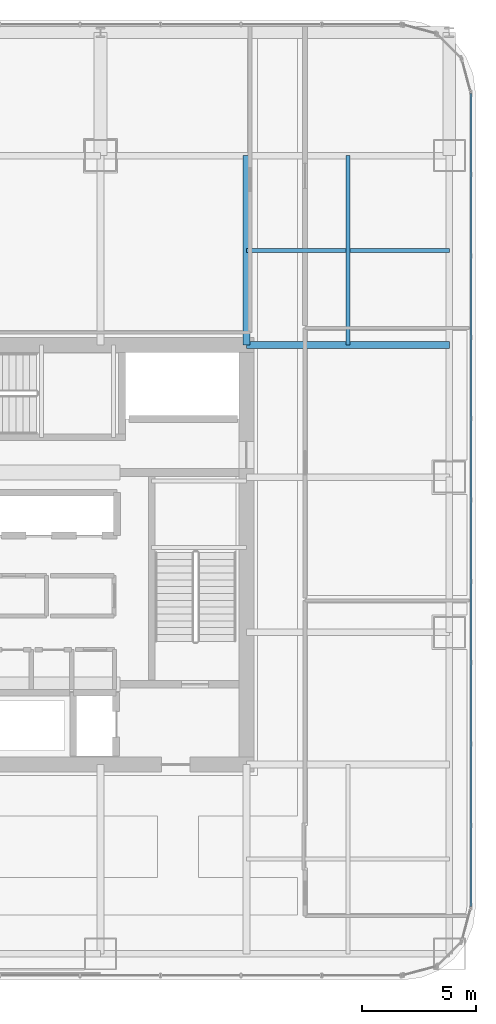
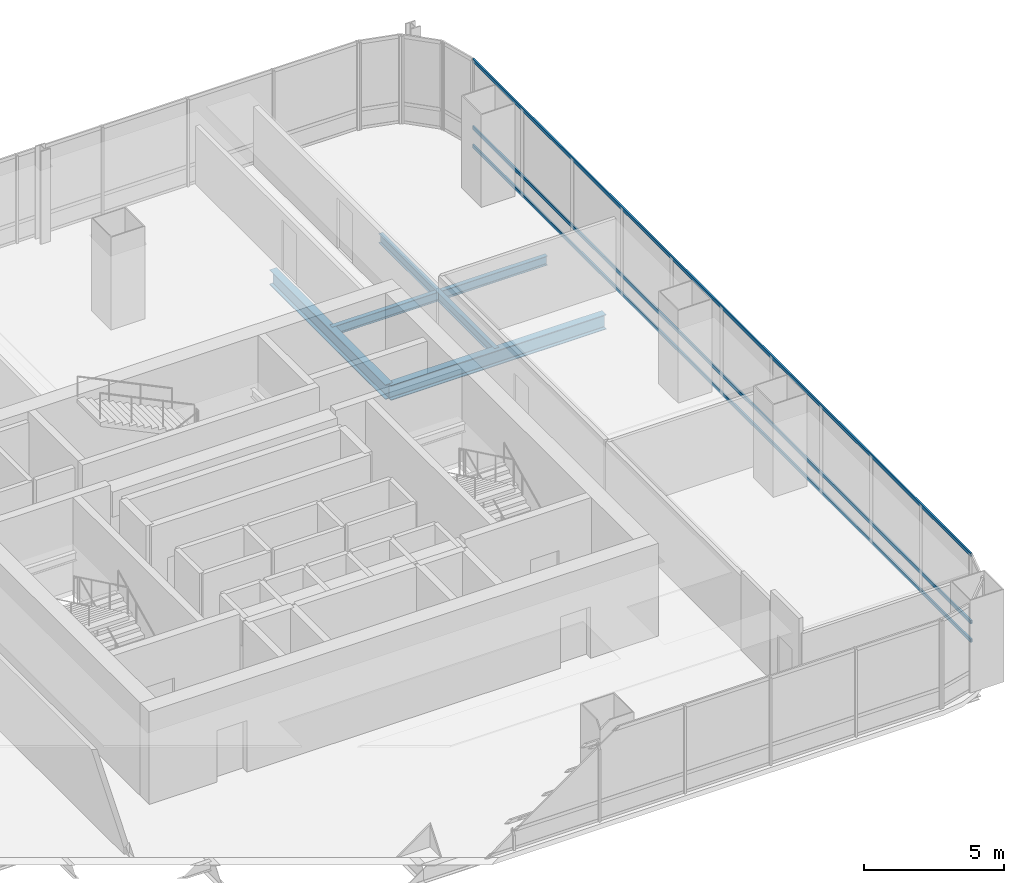
# One storey, part 17 of 38: 4 beams, 3 members, 1 element without a shape of its own.
"""IFC4 building model written with IfcOpenShell, lengths in metres."""

from ifc_helpers import new_model, si_unit, direction, frame, origin, origin_2d, place, context, subcontext, project, spatial, hollow_rectangle, i_section, extrude, material, material_profile, profile_set, type_object, element, aggregate, save


model = new_model("IFC4")

# Units and contexts
model_context = context("Model", 3, precision=1e-05, world=origin(), true_north=direction((0.0, 1.0)))
body_context = subcontext(model_context, "Body", "Model", "MODEL_VIEW")
ifc_project = project(units=[si_unit("LENGTHUNIT", "METRE"), si_unit("AREAUNIT", "SQUARE_METRE"), si_unit("VOLUMEUNIT", "CUBIC_METRE"), si_unit("PLANEANGLEUNIT", "RADIAN"), si_unit("MASSUNIT", "GRAM", prefix="KILO")], contexts=[model_context])

# Site, building, storey
site_placement = place(None, origin())
site = spatial("IfcSite", under=ifc_project, at=site_placement, CompositionType="ELEMENT")
building_placement = place(site_placement, origin())
building = spatial("IfcBuilding", under=site, at=building_placement, Name="Punatoya Terracotta Tower", CompositionType="ELEMENT")
storey_placement = place(building_placement, frame((0.0, 0.0, 147.89990234375)))
storey = spatial("IfcBuildingStorey", under=building, at=storey_placement, Name="L34", CompositionType="ELEMENT", Elevation=147.89990234375)

# Beams
ifc_material_1 = material(Name="Steel S355", Category="steel")
ifc_material_profile_1 = material_profile(ifc_material_1, i_section(OverallWidth=0.300048828125, OverallDepth=0.64990234375, WebThickness=0.01611328125, FlangeThickness=0.031005859375, FilletRadius=0.01806640625, at=origin_2d()))
ifc_profile_set_1 = profile_set([ifc_material_profile_1], Name="Steel S355")
beam_type_1 = type_object("IfcBeamType", Name="BM-PRI-650", PredefinedType="BEAM", material=ifc_profile_set_1)
beam_1_placement = place(storey_placement, frame((10.199951171875, 9.199951171875, -0.544921875), z_axis=(1.0, 0.0, 0.0), x_axis=(0.0, 1.0, 0.0)))
element("IfcBeam", 1, at=beam_1_placement, inside=storey, type_object=beam_type_1, Name="BM-L34-PR-EN", PredefinedType="BEAM", context=body_context, shape_type="SweptSolid", body=[
    extrude(i_section(OverallWidth=0.300048828125, OverallDepth=0.64990234375, WebThickness=0.01611328125, FlangeThickness=0.031005859375, FilletRadius=0.01806640625, at=origin_2d()), origin(), (0.0, 0.0, 1.0), 8.900146484375),
])
beam_2_placement = place(storey_placement, frame((10.199951171875, 9.199951171875, -0.544921875), z_axis=(0.0, 1.0, 0.0), x_axis=(-1.0, 0.0, 0.0)))
element("IfcBeam", 2, at=beam_2_placement, inside=storey, type_object=beam_type_1, Name="BM-L34-PR-N4", PredefinedType="BEAM", context=body_context, shape_type="SweptSolid", body=[
    extrude(i_section(OverallWidth=0.300048828125, OverallDepth=0.64990234375, WebThickness=0.01611328125, FlangeThickness=0.031005859375, FilletRadius=0.01806640625, at=origin_2d()), origin(), (0.0, 0.0, 1.0), 8.300048828125),
])
ifc_material_profile_2 = material_profile(ifc_material_1, i_section(OverallWidth=0.179931640625, OverallDepth=0.39990234375, WebThickness=0.008544921875, FlangeThickness=0.013427734375, FilletRadius=0.01806640625, at=origin_2d()))
ifc_profile_set_2 = profile_set([ifc_material_profile_2], Name="Steel S355")
beam_type_2 = type_object("IfcBeamType", Name="BM-SEC-400", PredefinedType="JOIST", material=ifc_profile_set_2)
beam_3_placement = place(storey_placement, frame((10.199951171875, 13.35009765625, -0.419921875), z_axis=(1.0, 0.0, 0.0), x_axis=(0.0, 1.0, 0.0)))
element("IfcBeam", 3, at=beam_3_placement, inside=storey, type_object=beam_type_2, Name="BM-L34-SJN-2", PredefinedType="JOIST", context=body_context, shape_type="SweptSolid", body=[
    extrude(i_section(OverallWidth=0.179931640625, OverallDepth=0.39990234375, WebThickness=0.008544921875, FlangeThickness=0.013427734375, FilletRadius=0.01806640625, at=origin_2d()), origin(), (0.0, 0.0, 1.0), 8.900146484375),
])
beam_4_placement = place(storey_placement, frame((14.64990234375, 9.199951171875, -0.419921875), z_axis=(0.0, 1.0, 0.0), x_axis=(-1.0, 0.0, 0.0)))
element("IfcBeam", 4, at=beam_4_placement, inside=storey, type_object=beam_type_2, Name="BM-L34-SJE-2", PredefinedType="JOIST", context=body_context, shape_type="SweptSolid", body=[
    extrude(i_section(OverallWidth=0.179931640625, OverallDepth=0.39990234375, WebThickness=0.008544921875, FlangeThickness=0.013427734375, FilletRadius=0.01806640625, at=origin_2d()), origin(), (0.0, 0.0, 1.0), 8.300048828125),
])

# Curtain wall, members
ifc_material_2 = material(Name="Aluminium 6063-T6 + Double Low-E Glass", Category="aluminium")
curtain_wall_type = type_object("IfcCurtainWallType", Name="CW-M2", PredefinedType="NOTDEFINED", material=ifc_material_2)
curtain_wall_placement = place(storey_placement, origin())
curtain_wall = element("IfcCurtainWall", 5, at=curtain_wall_placement, inside=storey, type_object=curtain_wall_type, Name="L34 Curtain Wall CW-L34-E05-1", PredefinedType="NOTDEFINED")
ifc_material_3 = material(Name="Aluminium 6063-T6", Category="aluminium")
ifc_material_profile_3 = material_profile(ifc_material_3, hollow_rectangle(XDim=0.068115234375, YDim=0.14990234375, WallThickness=0.00390625, at=origin_2d()))
ifc_profile_set_3 = profile_set([ifc_material_profile_3], Name="Aluminium 6063-T6")
member_type = type_object("IfcMemberType", Name="CW-TRN-TYP", PredefinedType="USERDEFINED", material=ifc_profile_set_3)
member_1_placement = place(storey_placement, frame((20.050048828125, -15.43701171875, 0.0400390625), z_axis=(0.0, 1.0, 0.0), x_axis=(-1.0, 0.0, 0.0)))
member_1 = element("IfcMember", 6, at=member_1_placement, type_object=member_type, Name="CW-L34-E05-1 Transom 1", ObjectType="TRANSOM", PredefinedType="USERDEFINED", context=body_context, shape_type="SweptSolid", body=[
    extrude(hollow_rectangle(XDim=0.068115234375, YDim=0.14990234375, WallThickness=0.00390625, at=origin_2d()), origin(), (0.0, 0.0, 1.0), 35.673828125),
])
member_2_placement = place(storey_placement, frame((20.050048828125, -15.43701171875, 0.85009765625), z_axis=(0.0, 1.0, 0.0), x_axis=(-1.0, 0.0, 0.0)))
member_2 = element("IfcMember", 7, at=member_2_placement, type_object=member_type, Name="CW-L34-E05-1 Transom 2", ObjectType="TRANSOM", PredefinedType="USERDEFINED", context=body_context, shape_type="SweptSolid", body=[
    extrude(hollow_rectangle(XDim=0.068115234375, YDim=0.14990234375, WallThickness=0.00390625, at=origin_2d()), origin(), (0.0, 0.0, 1.0), 35.673828125),
])
member_3_placement = place(storey_placement, frame((20.050048828125, -15.43701171875, 3.7900390625), z_axis=(0.0, 1.0, 0.0), x_axis=(-1.0, 0.0, 0.0)))
member_3 = element("IfcMember", 8, at=member_3_placement, type_object=member_type, Name="CW-L34-E05-1 Transom 3", ObjectType="TRANSOM", PredefinedType="USERDEFINED", context=body_context, shape_type="SweptSolid", body=[
    extrude(hollow_rectangle(XDim=0.068115234375, YDim=0.14990234375, WallThickness=0.00390625, at=origin_2d()), origin(), (0.0, 0.0, 1.0), 35.673828125),
])
aggregate(curtain_wall, [member_1, member_2, member_3])

save(model, "model.ifc")
